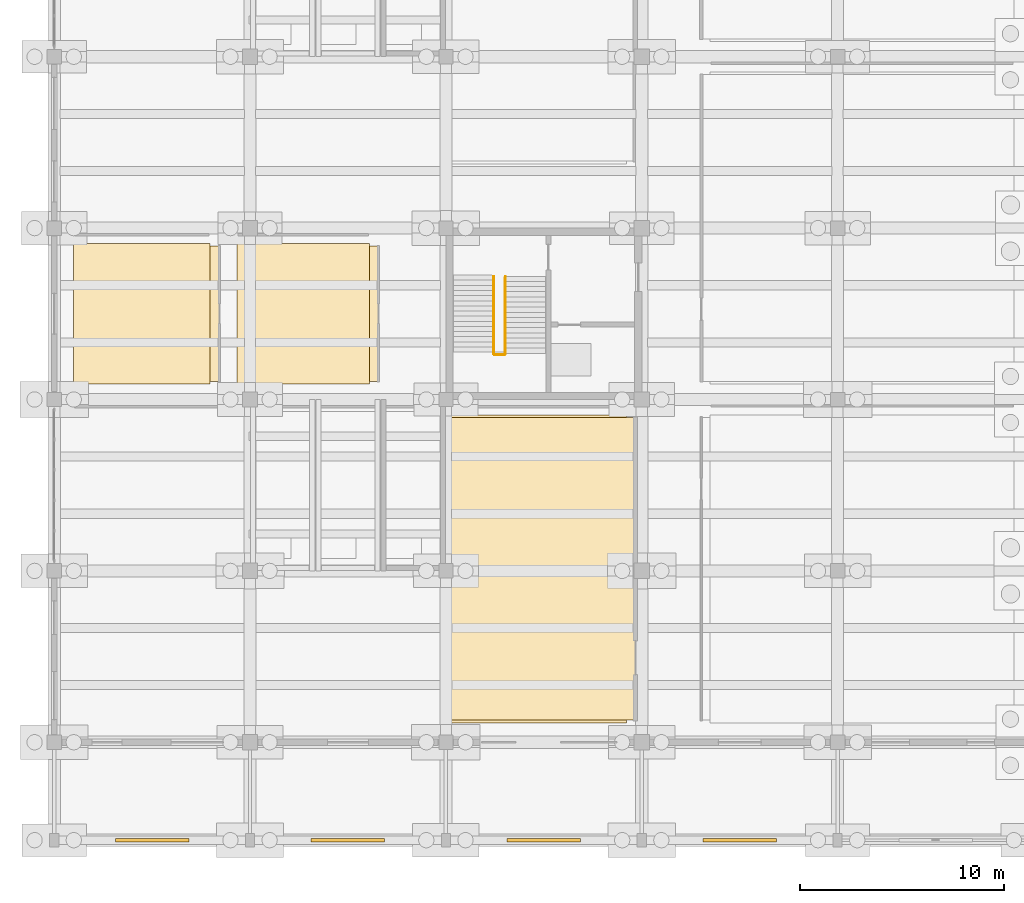
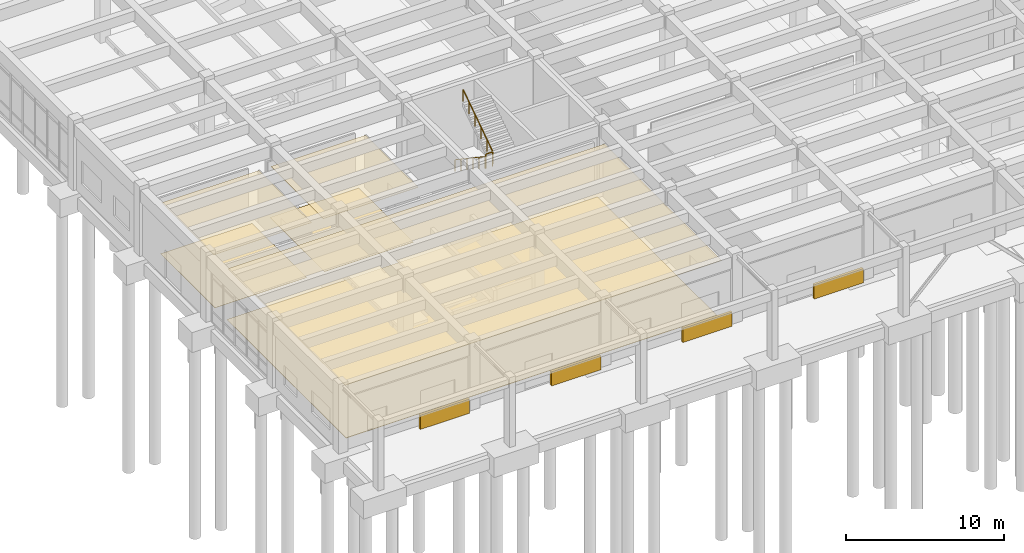
# One storey, part 88 of 102: 6 coverings, 4 shading devices, 3 railings.
"""IFC4 building model written with IfcOpenShell, lengths in metres."""

from ifc_helpers import new_model, si_unit, direction, frame, origin, origin_2d, place, context, subcontext, project, spatial, polyline, rectangle, circle, outline, extrude, material, layer, layer_set, type_object, element, save


model = new_model("IFC4")

# Units and contexts
model_context = context("Model", 3, precision=1e-05, world=origin(), true_north=direction((0.0, 1.0)))
body_context = subcontext(model_context, "Body", "Model", "MODEL_VIEW")
ifc_project = project(units=[si_unit("LENGTHUNIT", "METRE"), si_unit("AREAUNIT", "SQUARE_METRE"), si_unit("VOLUMEUNIT", "CUBIC_METRE"), si_unit("PLANEANGLEUNIT", "RADIAN"), si_unit("MASSUNIT", "GRAM", prefix="KILO")], contexts=[model_context])

# Site, building, storey
site_placement = place(None, origin())
site = spatial("IfcSite", under=ifc_project, at=site_placement, CompositionType="ELEMENT")
building_placement = place(site_placement, origin())
building = spatial("IfcBuilding", under=site, at=building_placement, Name="Kolvemor Railside Polytechnic", CompositionType="ELEMENT")
storey_placement = place(building_placement, origin())
storey = spatial("IfcBuildingStorey", under=building, at=storey_placement, Name="L00", CompositionType="ELEMENT", Elevation=0.0)

# Coverings
ifc_material_1 = material(Name="Perforated acoustic mineral-fibre and timber-slat ceiling", Category="wood")
ifc_layer_1 = layer(ifc_material_1, 0.02490234375, Name="COV-CEIL-1")
ifc_layer_set_1 = layer_set([ifc_layer_1], Name="Perforated acoustic mineral-fibre and timber-slat ceiling")
covering_type_1 = type_object("IfcCoveringType", Name="COV-CEIL-1", PredefinedType="CEILING", material=ifc_layer_set_1)
covering_1_placement = place(storey_placement, frame((0.0, 0.0, 4.014892578125)))
element("IfcCovering", 1, at=covering_1_placement, inside=storey, type_object=covering_type_1, Name="West Wing Public WC L00 Acoustic Ceiling", PredefinedType="CEILING", context=body_context, shape_type="SweptSolid", body=[
    extrude(outline(polyline([(0.949951171875, 22.47998046875), (8.080078125, 22.47998046875), (8.080078125, 29.1201171875), (0.949951171875, 29.1201171875), (0.949951171875, 22.47998046875)])), origin(), (0.0, 0.0, 1.0), 0.025146484375),
])
ifc_material_2 = material(Name="Perforated acoustic mineral-fibre and timber-slat ceiling", Category="wood")
ifc_layer_2 = layer(ifc_material_2, 0.030029296875, Name="COV-CEIL-2")
ifc_layer_set_2 = layer_set([ifc_layer_2], Name="Perforated acoustic mineral-fibre and timber-slat ceiling")
covering_type_2 = type_object("IfcCoveringType", Name="COV-CEIL-2", PredefinedType="CEILING", material=ifc_layer_set_2)
covering_2_placement = place(storey_placement, frame((0.0, 0.0, 4.010009765625)))
element("IfcCovering", 2, at=covering_2_placement, inside=storey, type_object=covering_type_2, Name="West Wing Accessible WC L00 Acoustic Ceiling", PredefinedType="CEILING", context=body_context, shape_type="SweptSolid", body=[
    extrude(outline(polyline([(8.949951171875, 22.47998046875), (15.8798828125, 22.47998046875), (15.8798828125, 29.1201171875), (8.949951171875, 29.1201171875), (8.949951171875, 22.47998046875)])), origin(), (0.0, 0.0, 1.0), 0.030029296875),
])
ifc_material_3 = material(Name="Perforated acoustic mineral-fibre and timber-slat ceiling", Category="wood")
ifc_layer_3 = layer(ifc_material_3, 0.034912109375, Name="COV-CEIL-3")
ifc_layer_set_3 = layer_set([ifc_layer_3], Name="Perforated acoustic mineral-fibre and timber-slat ceiling")
covering_type_3 = type_object("IfcCoveringType", Name="COV-CEIL-3", PredefinedType="CEILING", material=ifc_layer_set_3)
covering_3_placement = place(storey_placement, frame((0.0, 0.0, 4.0048828125)))
element("IfcCovering", 3, at=covering_3_placement, inside=storey, type_object=covering_type_3, Name="Lecture Theatre LT-1 Acoustic Ceiling", PredefinedType="CEILING", context=body_context, shape_type="SweptSolid", body=[
    extrude(outline(polyline([(0.949951171875, 5.8798828125), (28.47998046875, 5.8798828125), (28.47998046875, 20.719970703125), (0.949951171875, 20.719970703125), (0.949951171875, 5.8798828125)])), origin(), (0.0, 0.0, 1.0), 0.03515625),
])
ifc_material_4 = material(Name="Polished coral-aggregate terrazzo and laboratory epoxy flooring")
ifc_layer_4 = layer(ifc_material_4, 0.02001953125, Name="COV-FLR-1")
ifc_layer_set_4 = layer_set([ifc_layer_4], Name="Polished coral-aggregate terrazzo and laboratory epoxy flooring")
covering_type_4 = type_object("IfcCoveringType", Name="COV-FLR-1", PredefinedType="FLOORING", material=ifc_layer_set_4)
covering_4_placement = place(storey_placement, origin())
element("IfcCovering", 4, at=covering_4_placement, inside=storey, type_object=covering_type_4, Name="West Wing Public WC L00 Floor Finish", PredefinedType="FLOORING", context=body_context, shape_type="SweptSolid", body=[
    extrude(outline(polyline([(0.949951171875, 22.35009765625), (7.64990234375, 22.35009765625), (7.64990234375, 29.25), (0.949951171875, 29.25), (0.949951171875, 22.35009765625)])), origin(), (0.0, 0.0, 1.0), 0.02001953125),
])
ifc_material_5 = material(Name="Polished coral-aggregate terrazzo and laboratory epoxy flooring")
ifc_layer_5 = layer(ifc_material_5, 0.02490234375, Name="COV-FLR-2")
ifc_layer_set_5 = layer_set([ifc_layer_5], Name="Polished coral-aggregate terrazzo and laboratory epoxy flooring")
covering_type_5 = type_object("IfcCoveringType", Name="COV-FLR-2", PredefinedType="FLOORING", material=ifc_layer_set_5)
covering_5_placement = place(storey_placement, origin())
element("IfcCovering", 5, at=covering_5_placement, inside=storey, type_object=covering_type_5, Name="West Wing Accessible WC L00 Floor Finish", PredefinedType="FLOORING", context=body_context, shape_type="SweptSolid", body=[
    extrude(outline(polyline([(8.949951171875, 22.35009765625), (15.449951171875, 22.35009765625), (15.449951171875, 29.25), (8.949951171875, 29.25), (8.949951171875, 22.35009765625)])), origin(), (0.0, 0.0, 1.0), 0.02490234375),
])
ifc_material_6 = material(Name="Polished coral-aggregate terrazzo and laboratory epoxy flooring")
ifc_layer_6 = layer(ifc_material_6, 0.030029296875, Name="COV-FLR-3")
ifc_layer_set_6 = layer_set([ifc_layer_6], Name="Polished coral-aggregate terrazzo and laboratory epoxy flooring")
covering_type_6 = type_object("IfcCoveringType", Name="COV-FLR-3", PredefinedType="FLOORING", material=ifc_layer_set_6)
covering_6_placement = place(storey_placement, origin())
element("IfcCovering", 6, at=covering_6_placement, inside=storey, type_object=covering_type_6, Name="Lecture Theatre LT-1 Floor Finish", PredefinedType="FLOORING", context=body_context, shape_type="SweptSolid", body=[
    extrude(outline(polyline([(0.949951171875, 5.75), (28.050048828125, 5.75), (28.050048828125, 20.85009765625), (0.949951171875, 20.85009765625), (0.949951171875, 5.75)])), origin(), (0.0, 0.0, 1.0), 0.030029296875),
])

# Railings
ifc_material_7 = material(Name="AISI 316 marine stainless-steel balustrade guard", Category="steel")
railing_type_1 = type_object("IfcRailingType", Name="RLG-GUARD-1120", PredefinedType="BALUSTRADE", material=ifc_material_7)
railing_1_placement = place(storey_placement, frame((21.580078125, 23.800048828125, 2.699951171875)))
element("IfcRailing", 7, at=railing_1_placement, inside=storey, type_object=railing_type_1, Name="ST-4 Half-Landing Slot Guard L00", PredefinedType="BALUSTRADE", context=body_context, shape_type="SweptSolid", body=[
    extrude(circle(Radius=0.02392578125, at=origin_2d()), frame((0.054931640625, 0.0, 1.09619140625), z_axis=(1.0, 0.0, 0.0), x_axis=(0.0, 1.0, 0.0)), (0.0, 0.0, 1.0), 0.389892578125),
    extrude(circle(Radius=0.02099609375, at=origin_2d()), origin(), (0.0, 0.0, 1.0), 1.05712890625),
    extrude(circle(Radius=0.02099609375, at=origin_2d()), frame((0.5, 0.0, 0.0)), (0.0, 0.0, 1.0), 1.05712890625),
])
ifc_material_8 = material(Name="Brushed AISI 316 stainless-steel stair handrail", Category="steel")
railing_type_2 = type_object("IfcRailingType", Name="RLG-HANDRAIL-920", PredefinedType="HANDRAIL", material=ifc_material_8)
railing_2_placement = place(storey_placement, frame((21.5400390625, 27.6201171875, 0.168701171875)))
element("IfcRailing", 8, at=railing_2_placement, inside=storey, type_object=railing_type_2, Name="ST-4 Flight 1 Handrail L00", PredefinedType="HANDRAIL", context=body_context, shape_type="SweptSolid", body=[
    extrude(circle(Radius=0.02392578125, at=origin_2d()), frame((0.0, -0.045654296875, 0.926513671875), z_axis=(0.0, -0.830909170722, 0.55640807867), x_axis=(1.0, 0.0, 0.0)), (0.0, 0.0, 1.0), 4.439208984375),
    extrude(circle(Radius=0.02099609375, at=origin_2d()), origin(), (0.0, 0.0, 1.0), 0.85693359375),
    extrude(circle(Radius=0.02099609375, at=origin_2d()), frame((0.0, -0.756103515625, 0.50634765625)), (0.0, 0.0, 1.0), 0.85693359375),
    extrude(circle(Radius=0.02099609375, at=origin_2d()), frame((0.0, -1.511962890625, 1.012451171875)), (0.0, 0.0, 1.0), 0.85693359375),
    extrude(circle(Radius=0.02099609375, at=origin_2d()), frame((0.0, -2.26806640625, 1.518798828125)), (0.0, 0.0, 1.0), 0.85693359375),
    extrude(circle(Radius=0.02099609375, at=origin_2d()), frame((0.0, -3.02392578125, 2.02490234375)), (0.0, 0.0, 1.0), 0.85693359375),
    extrude(circle(Radius=0.02099609375, at=origin_2d()), frame((0.0, -3.780029296875, 2.53125)), (0.0, 0.0, 1.0), 0.85693359375),
])
railing_3_placement = place(storey_placement, frame((22.1201171875, 23.840087890625, 2.86865234375)))
element("IfcRailing", 9, at=railing_3_placement, inside=storey, type_object=railing_type_2, Name="ST-4 Flight 2 Handrail L00", PredefinedType="HANDRAIL", context=body_context, shape_type="SweptSolid", body=[
    extrude(circle(Radius=0.02392578125, at=origin_2d()), frame((0.0, 0.045654296875, 0.926513671875), z_axis=(0.0, 0.830909170722, 0.55640807867), x_axis=(-1.0, 0.0, 0.0)), (0.0, 0.0, 1.0), 4.439208984375),
    extrude(circle(Radius=0.02099609375, at=origin_2d()), origin(), (0.0, 0.0, 1.0), 0.85693359375),
    extrude(circle(Radius=0.02099609375, at=origin_2d()), frame((0.0, 0.756103515625, 0.50634765625)), (0.0, 0.0, 1.0), 0.85693359375),
    extrude(circle(Radius=0.02099609375, at=origin_2d()), frame((0.0, 1.511962890625, 1.012451171875)), (0.0, 0.0, 1.0), 0.85693359375),
    extrude(circle(Radius=0.02099609375, at=origin_2d()), frame((0.0, 2.26806640625, 1.518798828125)), (0.0, 0.0, 1.0), 0.85693359375),
    extrude(circle(Radius=0.02099609375, at=origin_2d()), frame((0.0, 3.02392578125, 2.02490234375)), (0.0, 0.0, 1.0), 0.85693359375),
    extrude(circle(Radius=0.02099609375, at=origin_2d()), frame((0.0, 3.780029296875, 2.53125)), (0.0, 0.0, 1.0), 0.85693359375),
])

# Shading devices
ifc_material_9 = material(Name="Champagne-bronze PVDF-anodised hurricane storm louvre")
shading_device_type = type_object("IfcShadingDeviceType", Name="SHD-LOUVRE-STORM", PredefinedType="JALOUSIE", material=ifc_material_9)
for number, where, z_axis, x_axis, name in (
    (10, (4.800048828125, 0.0, 3.5), (0.0, 0.0, 1.0), (1.0, 0.0, 0.0), "Hurricane Storm Louvre SLV-01"),
    (11, (14.39990234375, 0.0, 3.5), (0.0, 0.0, 1.0), (1.0, 0.0, 0.0), "Hurricane Storm Louvre SLV-02"),
    (12, (24.0, 0.0, 3.5), (0.0, 0.0, 1.0), (1.0, 0.0, 0.0), "Hurricane Storm Louvre SLV-03"),
    (13, (33.60009765625, 0.0, 3.5), (0.0, 0.0, 1.0), (1.0, 0.0, 0.0), "Hurricane Storm Louvre SLV-04"),
):
    element("IfcShadingDevice", number, at=place(storey_placement, frame(where, z_axis=z_axis, x_axis=x_axis)), inside=storey, type_object=shading_device_type, Name=name, PredefinedType="JALOUSIE", context=body_context, shape_type="SweptSolid", body=[
        extrude(rectangle(XDim=3.60009765625, YDim=0.179931640625, at=origin_2d()), origin(), (0.0, 0.0, 1.0), 1.10009765625),
    ])

save(model, "model.ifc")
